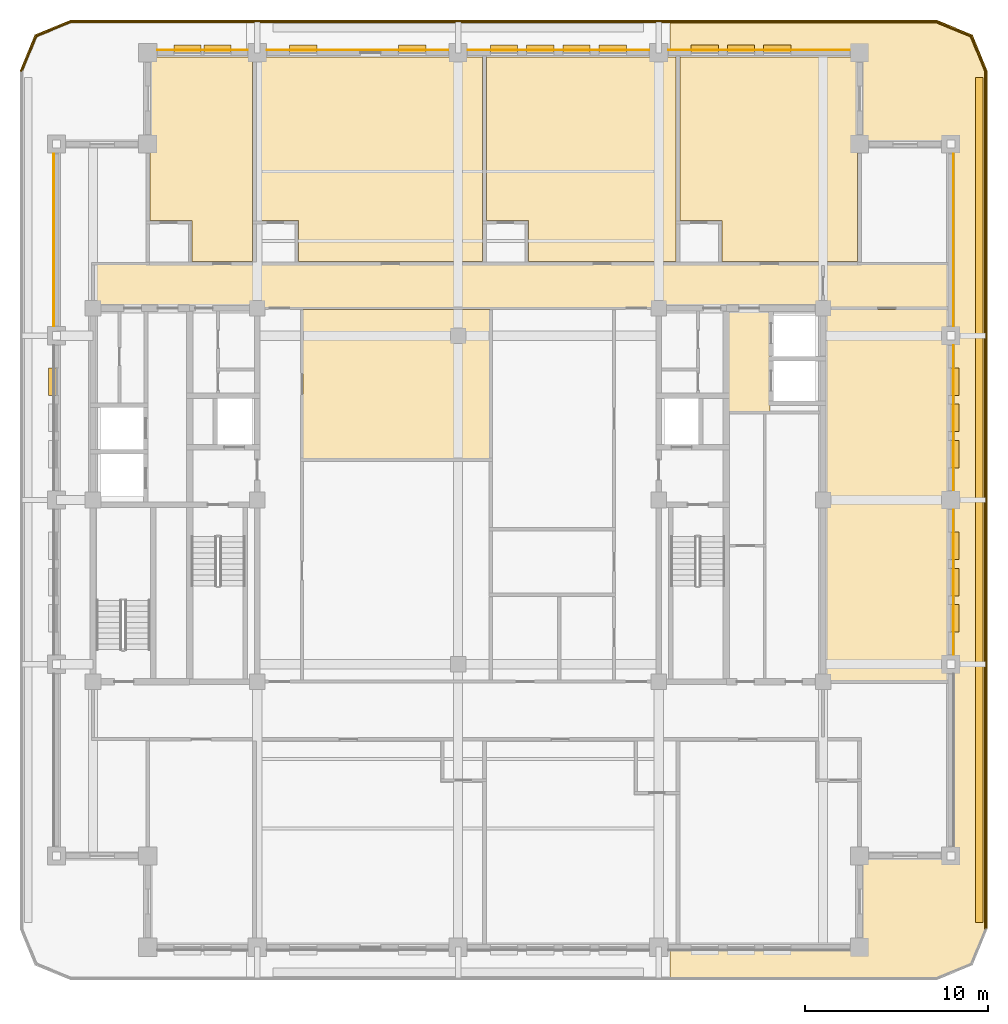
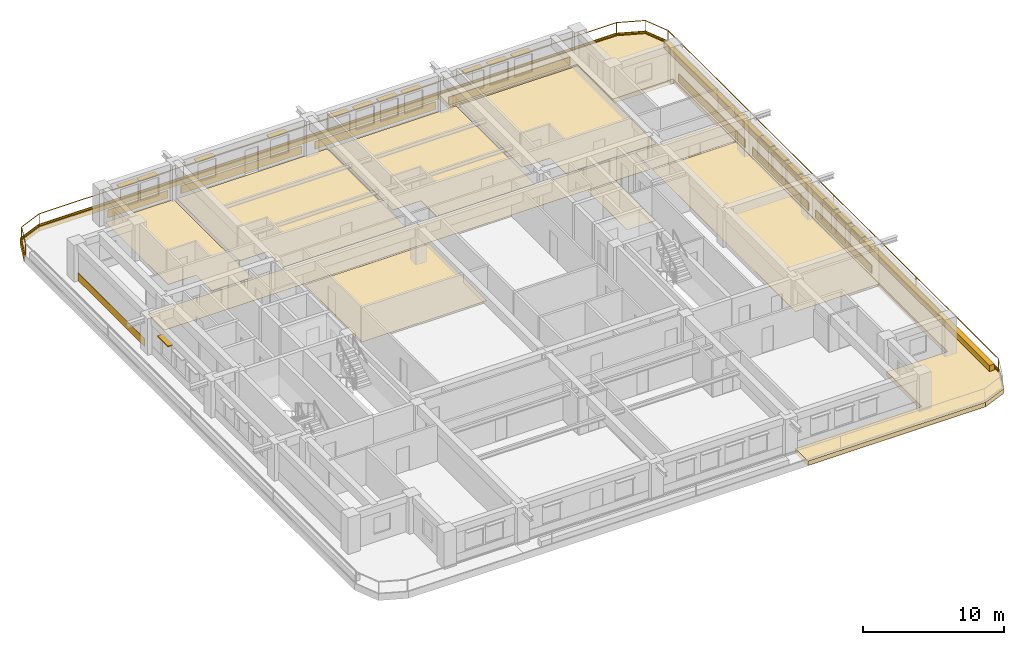
# One storey, part 14 of 14: 25 coverings, 18 shading devices, 2 railings.
"""IFC4 building model written with IfcOpenShell, lengths in metres."""

from ifc_helpers import new_model, si_unit, direction, frame, frame_2d, origin, origin_2d, place, context, subcontext, project, spatial, polyline, rectangle, outline, extrude, material, layer, layer_set, type_object, element, save


model = new_model("IFC4")

# Units and contexts
model_context = context("Model", 3, precision=1e-05, world=origin(), true_north=direction((0.0, 1.0)))
body_context = subcontext(model_context, "Body", "Model", "MODEL_VIEW")
ifc_project = project(units=[si_unit("LENGTHUNIT", "METRE"), si_unit("AREAUNIT", "SQUARE_METRE"), si_unit("VOLUMEUNIT", "CUBIC_METRE"), si_unit("PLANEANGLEUNIT", "RADIAN"), si_unit("MASSUNIT", "GRAM", prefix="KILO")], contexts=[model_context])

# Site, building, storey
site_placement = place(None, origin())
site = spatial("IfcSite", under=ifc_project, at=site_placement, CompositionType="ELEMENT")
building_placement = place(site_placement, origin())
building = spatial("IfcBuilding", under=site, at=building_placement, Name="Zulmaris Gate Convention Tower", CompositionType="ELEMENT")
storey_placement = place(building_placement, frame((0.0, 0.0, 162.659912109375)))
storey = spatial("IfcBuildingStorey", under=building, at=storey_placement, Name="L41", CompositionType="ELEMENT", Elevation=162.659912109375)

# Coverings
ifc_material_1 = material(Name="Precast concrete C40/50", Category="concrete")
ifc_layer_1 = layer(ifc_material_1, 0.0400390625, Name="Precast concrete C40/50")
ifc_layer_set_1 = layer_set([ifc_layer_1], Name="Precast concrete C40/50")
covering_type_1 = type_object("IfcCoveringType", Name="CLAD-SPANDREL-PRECAST", PredefinedType="CLADDING", material=ifc_layer_set_1)
covering_1_placement = place(storey_placement, frame((-11.530029296875, 24.64990234375, 0.0), z_axis=(0.0, 0.0, 1.0), x_axis=(-1.0, 0.0, 0.0)))
element("IfcCovering", 1, at=covering_1_placement, inside=storey, type_object=covering_type_1, Name="CLD-L41-N-0_0", PredefinedType="CLADDING", context=body_context, shape_type="SweptSolid", body=[
    extrude(rectangle(XDim=4.93994140625, YDim=0.0400390625, at=frame_2d((2.469970703125, 0.0))), origin(), (0.0, 0.0, 1.0), 0.679931640625),
])
for number, where, z_axis, x_axis, name in (
    (2, (-0.530029296875, 24.64990234375, 0.0), (0.0, 0.0, 1.0), (-1.0, 0.0, 0.0), "CLD-L41-N-1_0"),
    (3, (10.469970703125, 24.64990234375, 0.0), (0.0, 0.0, 1.0), (-1.0, 0.0, 0.0), "CLD-L41-N-2_0"),
    (4, (21.469970703125, 24.64990234375, 0.0), (0.0, 0.0, 1.0), (-1.0, 0.0, 0.0), "CLD-L41-N-3_0"),
):
    element("IfcCovering", number, at=place(storey_placement, frame(where, z_axis=z_axis, x_axis=x_axis)), inside=storey, type_object=covering_type_1, Name=name, PredefinedType="CLADDING", context=body_context, shape_type="SweptSolid", body=[
        extrude(rectangle(XDim=9.93994140625, YDim=0.0400390625, at=frame_2d((4.969970703125, 0.0))), origin(), (0.0, 0.0, 1.0), 0.679931640625),
    ])
for number, where, z_axis, x_axis, name in (
    (5, (27.14990234375, -8.469970703125, 0.0), (0.0, 0.0, 1.0), (0.0, 1.0, 0.0), "CLD-L41-E-1_0"),
    (6, (27.14990234375, 0.530029296875, 0.0), (0.0, 0.0, 1.0), (0.0, 1.0, 0.0), "CLD-L41-E-2_0"),
):
    element("IfcCovering", number, at=place(storey_placement, frame(where, z_axis=z_axis, x_axis=x_axis)), inside=storey, type_object=covering_type_1, Name=name, PredefinedType="CLADDING", context=body_context, shape_type="SweptSolid", body=[
        extrude(rectangle(XDim=7.93994140625, YDim=0.0400390625, at=frame_2d((3.969970703125, 0.0))), origin(), (0.0, 0.0, 1.0), 0.679931640625),
    ])
for number, where, z_axis, x_axis, name in (
    (7, (27.14990234375, 9.530029296875, 0.0), (0.0, 0.0, 1.0), (0.0, 1.0, 0.0), "CLD-L41-E-3_0"),
    (8, (-22.14990234375, 18.969970703125, 0.0), (0.0, 0.0, 1.0), (0.0, -1.0, 0.0), "CLD-L41-W-3_0"),
):
    element("IfcCovering", number, at=place(storey_placement, frame(where, z_axis=z_axis, x_axis=x_axis)), inside=storey, type_object=covering_type_1, Name=name, PredefinedType="CLADDING", context=body_context, shape_type="SweptSolid", body=[
        extrude(rectangle(XDim=9.43994140625, YDim=0.0400390625, at=frame_2d((4.719970703125, 0.0))), origin(), (0.0, 0.0, 1.0), 0.679931640625),
    ])
ifc_material_2 = material(Name="White Glazed Architectural Precast Concrete C40/50", Category="concrete")
ifc_layer_2 = layer(ifc_material_2, 0.239990234375, Name="White Glazed Architectural Precast Concrete C40/50")
ifc_layer_set_2 = layer_set([ifc_layer_2], Name="White Glazed Architectural Precast Concrete C40/50")
covering_type_2 = type_object("IfcCoveringType", Name="CLAD-TRAY-DECK", PredefinedType="CLADDING", material=ifc_layer_set_2)
covering_2_placement = place(storey_placement, frame((0.0, 0.0, -0.425048828125)))
element("IfcCovering", 9, at=covering_2_placement, inside=storey, type_object=covering_type_2, Name="L41 East Rounded-Fascia Planter Tray Deck", PredefinedType="CLADDING", context=body_context, shape_type="SweptSolid", body=[
    extrude(outline(polyline([(26.199951171875, 26.300048828125), (28.179931640625, 25.47998046875), (29.0, 23.5), (29.0, -23.5), (28.179931640625, -25.47998046875), (26.199951171875, -26.300048828125), (11.60205078125, -26.300048828125), (11.60205078125, -24.5), (22.0, -24.5), (22.0, -19.5), (27.0, -19.5), (27.0, 19.5), (22.0, 19.5), (22.0, 24.5), (11.60205078125, 24.5), (11.60205078125, 26.300048828125), (26.199951171875, 26.300048828125)])), origin(), (0.0, 0.0, 1.0), 0.385009765625),
])
ifc_layer_3 = layer(ifc_material_2, 0.080078125, Name="White Glazed Architectural Precast Concrete C40/50")
ifc_layer_set_3 = layer_set([ifc_layer_3], Name="White Glazed Architectural Precast Concrete C40/50")
covering_type_3 = type_object("IfcCoveringType", Name="CLAD-TRAY-FASCIA", PredefinedType="CLADDING", material=ifc_layer_set_3)
covering_3_placement = place(storey_placement, frame((28.9599609375, -23.5, -0.465087890625), z_axis=(0.0, 0.0, 1.0), x_axis=(0.0, 1.0, 0.0)))
element("IfcCovering", 10, at=covering_3_placement, inside=storey, type_object=covering_type_3, Name="FSC-L41-TR-05", PredefinedType="CLADDING", context=body_context, shape_type="SweptSolid", body=[
    extrude(rectangle(XDim=47.0, YDim=0.080078125, at=frame_2d((23.5, 0.0))), origin(), (0.0, 0.0, 1.0), 0.5849609375),
])
covering_4_placement = place(storey_placement, frame((28.962890625, 23.484619140625, -0.465087890625), z_axis=(0.0, 0.0, 1.0), x_axis=(-0.382656984709, 0.923890487046, 0.0)))
element("IfcCovering", 11, at=covering_4_placement, inside=storey, type_object=covering_type_3, Name="FSC-L41-TR-06", PredefinedType="CLADDING", context=body_context, shape_type="SweptSolid", body=[
    extrude(rectangle(XDim=2.14306640625, YDim=0.080078125, at=frame_2d((1.071533203125, 0.0))), origin(), (0.0, 0.0, 1.0), 0.5849609375),
])
covering_5_placement = place(storey_placement, frame((28.16455078125, 25.44287109375, -0.465087890625), z_axis=(0.0, 0.0, 1.0), x_axis=(-0.923873803533, 0.382697263049, 0.0)))
element("IfcCovering", 12, at=covering_5_placement, inside=storey, type_object=covering_type_3, Name="FSC-L41-TR-07", PredefinedType="CLADDING", context=body_context, shape_type="SweptSolid", body=[
    extrude(rectangle(XDim=2.142822265625, YDim=0.080078125, at=frame_2d((1.0712890625, 0.0))), origin(), (0.0, 0.0, 1.0), 0.5849609375),
])
covering_6_placement = place(storey_placement, frame((26.199951171875, 26.260009765625, -0.465087890625), z_axis=(0.0, 0.0, 1.0), x_axis=(-1.0, 0.0, 0.0)))
element("IfcCovering", 13, at=covering_6_placement, inside=storey, type_object=covering_type_3, Name="FSC-L41-TR-08", PredefinedType="CLADDING", context=body_context, shape_type="SweptSolid", body=[
    extrude(rectangle(XDim=47.39990234375, YDim=0.080078125, at=frame_2d((23.699951171875, 0.0))), origin(), (0.0, 0.0, 1.0), 0.5849609375),
])
covering_7_placement = place(storey_placement, frame((-21.184814453125, 26.262939453125, -0.465087890625), z_axis=(0.0, 0.0, 1.0), x_axis=(-0.923873803533, -0.382697263049, 0.0)))
element("IfcCovering", 14, at=covering_7_placement, inside=storey, type_object=covering_type_3, Name="FSC-L41-TR-09", PredefinedType="CLADDING", context=body_context, shape_type="SweptSolid", body=[
    extrude(rectangle(XDim=2.142822265625, YDim=0.080078125, at=frame_2d((1.0712890625, 0.0))), origin(), (0.0, 0.0, 1.0), 0.5849609375),
])
covering_8_placement = place(storey_placement, frame((-23.142822265625, 25.464599609375, -0.465087890625), z_axis=(0.0, 0.0, 1.0), x_axis=(-0.382656984709, -0.923890487046, 0.0)))
element("IfcCovering", 15, at=covering_8_placement, inside=storey, type_object=covering_type_3, Name="FSC-L41-TR-10", PredefinedType="CLADDING", context=body_context, shape_type="SweptSolid", body=[
    extrude(rectangle(XDim=2.14306640625, YDim=0.080078125, at=frame_2d((1.071533203125, 0.0))), origin(), (0.0, 0.0, 1.0), 0.5849609375),
])
ifc_material_3 = material(Name="Woven Acoustic Wool Carpet Tile")
ifc_layer_4 = layer(ifc_material_3, 0.02001953125, Name="Woven Acoustic Wool Carpet Tile")
ifc_layer_set_4 = layer_set([ifc_layer_4], Name="Woven Acoustic Wool Carpet Tile")
covering_type_4 = type_object("IfcCoveringType", Name="FLR-CARPET-12", PredefinedType="FLOORING", material=ifc_layer_set_4)
covering_9_placement = place(storey_placement, origin())
element("IfcCovering", 16, at=covering_9_placement, inside=storey, type_object=covering_type_4, Name="FLR-L41-R26", PredefinedType="FLOORING", context=body_context, shape_type="SweptSolid", body=[
    extrude(outline(polyline([(14.760009765625, 4.860107421875), (17.090087890625, 4.860107421875), (17.090087890625, 10.43994140625), (14.760009765625, 10.43994140625), (14.760009765625, 4.860107421875)])), origin(), (0.0, 0.0, 1.0), 0.02001953125),
])
covering_10_placement = place(storey_placement, origin())
element("IfcCovering", 17, at=covering_10_placement, inside=storey, type_object=covering_type_4, Name="FLR-L41-R32", PredefinedType="FLOORING", context=body_context, shape_type="SweptSolid", body=[
    extrude(outline(polyline([(-19.93994140625, 10.56005859375), (19.93994140625, 10.56005859375), (19.93994140625, 12.889892578125), (-19.93994140625, 12.889892578125), (-19.93994140625, 10.56005859375)])), origin(), (0.0, 0.0, 1.0), 0.02001953125),
])
covering_11_placement = place(storey_placement, origin())
element("IfcCovering", 18, at=covering_11_placement, inside=storey, type_object=covering_type_4, Name="FLR-L41-R57", PredefinedType="FLOORING", context=body_context, shape_type="SweptSolid", body=[
    extrude(outline(polyline([(20.06005859375, 10.56005859375), (26.93994140625, 10.56005859375), (26.93994140625, 12.889892578125), (20.06005859375, 12.889892578125), (20.06005859375, 10.56005859375)])), origin(), (0.0, 0.0, 1.0), 0.02001953125),
])
ifc_material_4 = material(Name="Engineered Teak Parquet Flooring")
ifc_layer_5 = layer(ifc_material_4, 0.02001953125, Name="Engineered Teak Parquet Flooring")
ifc_layer_set_5 = layer_set([ifc_layer_5], Name="Engineered Teak Parquet Flooring")
covering_type_5 = type_object("IfcCoveringType", Name="FLR-TIMBER-18", PredefinedType="FLOORING", material=ifc_layer_set_5)
covering_12_placement = place(storey_placement, origin())
element("IfcCovering", 19, at=covering_12_placement, inside=storey, type_object=covering_type_5, Name="FLR-L41-R37", PredefinedType="FLOORING", context=body_context, shape_type="SweptSolid", body=[
    extrude(outline(polyline([(-14.580078125, 13.070068359375), (-11.27001953125, 13.070068359375), (-11.27001953125, 24.260009765625), (-16.8798828125, 24.260009765625), (-16.8798828125, 15.320068359375), (-14.580078125, 15.320068359375), (-14.580078125, 13.070068359375)])), origin(), (0.0, 0.0, 1.0), 0.02001953125),
])
covering_13_placement = place(storey_placement, origin())
element("IfcCovering", 20, at=covering_13_placement, inside=storey, type_object=covering_type_5, Name="FLR-L41-R39", PredefinedType="FLOORING", context=body_context, shape_type="SweptSolid", body=[
    extrude(outline(polyline([(-8.72998046875, 13.070068359375), (1.330078125, 13.070068359375), (1.330078125, 24.260009765625), (-11.030029296875, 24.260009765625), (-11.030029296875, 15.320068359375), (-8.72998046875, 15.320068359375), (-8.72998046875, 13.070068359375)])), origin(), (0.0, 0.0, 1.0), 0.02001953125),
])
covering_14_placement = place(storey_placement, origin())
element("IfcCovering", 21, at=covering_14_placement, inside=storey, type_object=covering_type_5, Name="FLR-L41-R41", PredefinedType="FLOORING", context=body_context, shape_type="SweptSolid", body=[
    extrude(outline(polyline([(3.8701171875, 13.070068359375), (11.929931640625, 13.070068359375), (11.929931640625, 24.260009765625), (1.570068359375, 24.260009765625), (1.570068359375, 15.320068359375), (3.8701171875, 15.320068359375), (3.8701171875, 13.070068359375)])), origin(), (0.0, 0.0, 1.0), 0.02001953125),
])
covering_15_placement = place(storey_placement, origin())
element("IfcCovering", 22, at=covering_15_placement, inside=storey, type_object=covering_type_5, Name="FLR-L41-R43", PredefinedType="FLOORING", context=body_context, shape_type="SweptSolid", body=[
    extrude(outline(polyline([(14.469970703125, 13.070068359375), (21.8798828125, 13.070068359375), (21.8798828125, 24.260009765625), (12.169921875, 24.260009765625), (12.169921875, 15.320068359375), (14.469970703125, 15.320068359375), (14.469970703125, 13.070068359375)])), origin(), (0.0, 0.0, 1.0), 0.02001953125),
])
covering_16_placement = place(storey_placement, origin())
element("IfcCovering", 23, at=covering_16_placement, inside=storey, type_object=covering_type_5, Name="FLR-L41-R51", PredefinedType="FLOORING", context=body_context, shape_type="SweptSolid", body=[
    extrude(outline(polyline([(-8.489990234375, 2.260009765625), (1.739990234375, 2.260009765625), (1.739990234375, 10.43994140625), (-8.489990234375, 10.43994140625), (-8.489990234375, 2.260009765625)])), origin(), (0.0, 0.0, 1.0), 0.02001953125),
])
covering_17_placement = place(storey_placement, origin())
element("IfcCovering", 24, at=covering_17_placement, inside=storey, type_object=covering_type_5, Name="FLR-L41-R58", PredefinedType="FLOORING", context=body_context, shape_type="SweptSolid", body=[
    extrude(outline(polyline([(20.06005859375, -9.889892578125), (26.93994140625, -9.889892578125), (26.93994140625, 10.43994140625), (20.06005859375, 10.43994140625), (20.06005859375, -9.889892578125)])), origin(), (0.0, 0.0, 1.0), 0.02001953125),
])
ifc_material_5 = material(Name="Botanical Green Glazed Precast Concrete C40/50", Category="concrete")
ifc_layer_6 = layer(ifc_material_5, 0.419921875, Name="Botanical Green Glazed Precast Concrete C40/50")
ifc_layer_set_6 = layer_set([ifc_layer_6], Name="Botanical Green Glazed Precast Concrete C40/50")
covering_type_6 = type_object("IfcCoveringType", Name="PLANTER-BOX-200", PredefinedType="CLADDING", material=ifc_layer_set_6)
covering_18_placement = place(storey_placement, frame((0.0, 0.0, -0.0400390625)))
element("IfcCovering", 25, at=covering_18_placement, inside=storey, type_object=covering_type_6, Name="L41 E Full-Length Balcony Tree Planter Trough", PredefinedType="CLADDING", context=body_context, shape_type="SweptSolid", body=[
    extrude(outline(polyline([(28.340087890625, -23.14990234375), (28.760009765625, -23.14990234375), (28.760009765625, 23.14990234375), (28.340087890625, 23.14990234375), (28.340087890625, -23.14990234375)])), origin(), (0.0, 0.0, 1.0), 0.52001953125),
])

# Railings
ifc_material_6 = material(Name="Laminated Glass and Stainless Steel", Category="steel")
railing_type = type_object("IfcRailingType", Name="RL-BALC-1150", PredefinedType="BALUSTRADE", material=ifc_material_6)
railing_1_placement = place(storey_placement, frame((28.8798828125, -23.5, -0.0400390625)))
element("IfcRailing", 26, at=railing_1_placement, inside=storey, type_object=railing_type, Name="RL-L41-BALC-E", PredefinedType="BALUSTRADE", context=body_context, shape_type="SweptSolid", body=[
    extrude(rectangle(XDim=0.048095703125, YDim=0.048095703125, at=origin_2d()), frame((0.0, 0.0, 1.1259765625), z_axis=(0.0, 1.0, 0.0), x_axis=(-1.0, 0.0, 0.0)), (0.0, 0.0, 1.0), 47.0),
    extrude(rectangle(XDim=0.048095703125, YDim=0.048095703125, at=origin_2d()), frame((0.0, 0.0, 0.02392578125), z_axis=(0.0, 1.0, 0.0), x_axis=(-1.0, 0.0, 0.0)), (0.0, 0.0, 1.0), 47.0),
    extrude(rectangle(XDim=0.0419921875, YDim=0.0419921875, at=origin_2d()), origin(), (0.0, 0.0, 1.0), 1.101806640625),
    extrude(rectangle(XDim=0.0419921875, YDim=0.0419921875, at=origin_2d()), frame((0.0, 11.75, 0.0)), (0.0, 0.0, 1.0), 1.101806640625),
    extrude(rectangle(XDim=0.0419921875, YDim=0.0419921875, at=origin_2d()), frame((0.0, 23.5, 0.0)), (0.0, 0.0, 1.0), 1.101806640625),
    extrude(rectangle(XDim=0.0419921875, YDim=0.0419921875, at=origin_2d()), frame((0.0, 35.25, 0.0)), (0.0, 0.0, 1.0), 1.101806640625),
    extrude(rectangle(XDim=0.0419921875, YDim=0.0419921875, at=origin_2d()), frame((0.0, 47.0, 0.0)), (0.0, 0.0, 1.0), 1.101806640625),
])
railing_2_placement = place(storey_placement, frame((28.8798828125, 23.5, -0.0400390625)))
element("IfcRailing", 27, at=railing_2_placement, inside=storey, type_object=railing_type, Name="RL-L41-BALC-N", PredefinedType="BALUSTRADE", context=body_context, shape_type="SweptSolid", body=[
    extrude(rectangle(XDim=0.048095703125, YDim=0.048095703125, at=origin_2d()), frame((0.0, 0.0, 1.1259765625), z_axis=(-0.382670664694, 0.92388482095, 0.0), x_axis=(-0.92388482095, -0.382670664694, 0.0)), (0.0, 0.0, 1.0), 2.051025390625),
    extrude(rectangle(XDim=0.048095703125, YDim=0.048095703125, at=origin_2d()), frame((0.0, 0.0, 0.02392578125), z_axis=(-0.382670664694, 0.92388482095, 0.0), x_axis=(-0.92388482095, -0.382670664694, 0.0)), (0.0, 0.0, 1.0), 2.051025390625),
    extrude(rectangle(XDim=0.048095703125, YDim=0.048095703125, at=origin_2d()), frame((-0.784912109375, 1.89501953125, 1.1259765625), z_axis=(-0.92388482095, 0.382670664694, 0.0), x_axis=(-0.382670664694, -0.92388482095, 0.0)), (0.0, 0.0, 1.0), 2.051025390625),
    extrude(rectangle(XDim=0.048095703125, YDim=0.048095703125, at=origin_2d()), frame((-0.784912109375, 1.89501953125, 0.02392578125), z_axis=(-0.92388482095, 0.382670664694, 0.0), x_axis=(-0.382670664694, -0.92388482095, 0.0)), (0.0, 0.0, 1.0), 2.051025390625),
    extrude(rectangle(XDim=0.048095703125, YDim=0.048095703125, at=origin_2d()), frame((-2.679931640625, 2.679931640625, 1.1259765625), z_axis=(-1.0, 0.0, 0.0), x_axis=(0.0, -1.0, 0.0)), (0.0, 0.0, 1.0), 47.39990234375),
    extrude(rectangle(XDim=0.048095703125, YDim=0.048095703125, at=origin_2d()), frame((-2.679931640625, 2.679931640625, 0.02392578125), z_axis=(-1.0, 0.0, 0.0), x_axis=(0.0, -1.0, 0.0)), (0.0, 0.0, 1.0), 47.39990234375),
    extrude(rectangle(XDim=0.048095703125, YDim=0.048095703125, at=origin_2d()), frame((-50.079833984375, 2.679931640625, 1.1259765625), z_axis=(-0.92388482095, -0.382670664694, 0.0), x_axis=(0.382670664694, -0.92388482095, 0.0)), (0.0, 0.0, 1.0), 2.051025390625),
    extrude(rectangle(XDim=0.048095703125, YDim=0.048095703125, at=origin_2d()), frame((-50.079833984375, 2.679931640625, 0.02392578125), z_axis=(-0.92388482095, -0.382670664694, 0.0), x_axis=(0.382670664694, -0.92388482095, 0.0)), (0.0, 0.0, 1.0), 2.051025390625),
    extrude(rectangle(XDim=0.048095703125, YDim=0.048095703125, at=origin_2d()), frame((-51.974853515625, 1.89501953125, 1.1259765625), z_axis=(-0.382670664694, -0.92388482095, 0.0), x_axis=(0.92388482095, -0.382670664694, 0.0)), (0.0, 0.0, 1.0), 2.051025390625),
    extrude(rectangle(XDim=0.048095703125, YDim=0.048095703125, at=origin_2d()), frame((-51.974853515625, 1.89501953125, 0.02392578125), z_axis=(-0.382670664694, -0.92388482095, 0.0), x_axis=(0.92388482095, -0.382670664694, 0.0)), (0.0, 0.0, 1.0), 2.051025390625),
    extrude(rectangle(XDim=0.0419921875, YDim=0.0419921875, at=origin_2d()), origin(), (0.0, 0.0, 1.0), 1.101806640625),
    extrude(rectangle(XDim=0.0419921875, YDim=0.0419921875, at=origin_2d()), frame((-0.784912109375, 1.89501953125, 0.0)), (0.0, 0.0, 1.0), 1.101806640625),
    extrude(rectangle(XDim=0.0419921875, YDim=0.0419921875, at=origin_2d()), frame((-2.679931640625, 2.679931640625, 0.0)), (0.0, 0.0, 1.0), 1.101806640625),
    extrude(rectangle(XDim=0.0419921875, YDim=0.0419921875, at=origin_2d()), frame((-14.52978515625, 2.679931640625, 0.0)), (0.0, 0.0, 1.0), 1.101806640625),
    extrude(rectangle(XDim=0.0419921875, YDim=0.0419921875, at=origin_2d()), frame((-26.3798828125, 2.679931640625, 0.0)), (0.0, 0.0, 1.0), 1.101806640625),
    extrude(rectangle(XDim=0.0419921875, YDim=0.0419921875, at=origin_2d()), frame((-38.22998046875, 2.679931640625, 0.0)), (0.0, 0.0, 1.0), 1.101806640625),
    extrude(rectangle(XDim=0.0419921875, YDim=0.0419921875, at=origin_2d()), frame((-50.079833984375, 2.679931640625, 0.0)), (0.0, 0.0, 1.0), 1.101806640625),
    extrude(rectangle(XDim=0.0419921875, YDim=0.0419921875, at=origin_2d()), frame((-51.974853515625, 1.89501953125, 0.0)), (0.0, 0.0, 1.0), 1.101806640625),
    extrude(rectangle(XDim=0.0419921875, YDim=0.0419921875, at=origin_2d()), frame((-52.759765625, 0.0, 0.0)), (0.0, 0.0, 1.0), 1.101806640625),
])

# Shading devices
ifc_material_7 = material(Name="Glazed Ceramic Terracotta", Category="masonry")
ifc_layer_7 = layer(ifc_material_7, 0.070068359375, Name="Glazed Ceramic Terracotta")
ifc_layer_set_7 = layer_set([ifc_layer_7], Name="Glazed Ceramic Terracotta")
shading_device_type = type_object("IfcShadingDeviceType", Name="SHD-SUNSHADE-TC", PredefinedType="AWNING", material=ifc_layer_set_7)
for number, where, z_axis, x_axis, name in (
    (28, (-12.427001953125, 24.719970703125, 2.35009765625), (0.0, 0.0, 1.0), (-1.0, 0.0, 0.0), "SHD-EW-L41-N-0_0-1"),
    (29, (-14.072998046875, 24.719970703125, 2.35009765625), (0.0, 0.0, 1.0), (-1.0, 0.0, 0.0), "SHD-EW-L41-N-0_0-2"),
    (30, (-1.76806640625, 24.719970703125, 2.35009765625), (0.0, 0.0, 1.0), (-1.0, 0.0, 0.0), "SHD-EW-L41-N-1_0-1"),
    (31, (-7.73193359375, 24.719970703125, 2.35009765625), (0.0, 0.0, 1.0), (-1.0, 0.0, 0.0), "SHD-EW-L41-N-1_0-4"),
    (32, (9.23193359375, 24.719970703125, 2.35009765625), (0.0, 0.0, 1.0), (-1.0, 0.0, 0.0), "SHD-EW-L41-N-2_0-1"),
    (33, (7.243896484375, 24.719970703125, 2.35009765625), (0.0, 0.0, 1.0), (-1.0, 0.0, 0.0), "SHD-EW-L41-N-2_0-2"),
    (34, (5.256103515625, 24.719970703125, 2.35009765625), (0.0, 0.0, 1.0), (-1.0, 0.0, 0.0), "SHD-EW-L41-N-2_0-3"),
    (35, (3.26806640625, 24.719970703125, 2.35009765625), (0.0, 0.0, 1.0), (-1.0, 0.0, 0.0), "SHD-EW-L41-N-2_0-4"),
    (36, (18.243896484375, 24.719970703125, 2.35009765625), (0.0, 0.0, 1.0), (-1.0, 0.0, 0.0), "SHD-EW-L41-N-3_0-2"),
    (37, (16.256103515625, 24.719970703125, 2.35009765625), (0.0, 0.0, 1.0), (-1.0, 0.0, 0.0), "SHD-EW-L41-N-3_0-3"),
    (38, (14.26806640625, 24.719970703125, 2.35009765625), (0.0, 0.0, 1.0), (-1.0, 0.0, 0.0), "SHD-EW-L41-N-3_0-4"),
    (39, (27.219970703125, -7.235107421875, 2.35009765625), (0.0, 0.0, 1.0), (0.0, 1.0, 0.0), "SHD-EW-L41-E-1_0-1"),
    (40, (27.219970703125, -5.25, 2.35009765625), (0.0, 0.0, 1.0), (0.0, 1.0, 0.0), "SHD-EW-L41-E-1_0-2"),
    (41, (27.219970703125, -3.264892578125, 2.35009765625), (0.0, 0.0, 1.0), (0.0, 1.0, 0.0), "SHD-EW-L41-E-1_0-3"),
    (42, (27.219970703125, 1.764892578125, 2.35009765625), (0.0, 0.0, 1.0), (0.0, 1.0, 0.0), "SHD-EW-L41-E-2_0-1"),
    (43, (27.219970703125, 3.75, 2.35009765625), (0.0, 0.0, 1.0), (0.0, 1.0, 0.0), "SHD-EW-L41-E-2_0-2"),
    (44, (27.219970703125, 5.735107421875, 2.35009765625), (0.0, 0.0, 1.0), (0.0, 1.0, 0.0), "SHD-EW-L41-E-2_0-3"),
    (45, (-22.219970703125, 7.235107421875, 2.35009765625), (0.0, 0.0, 1.0), (0.0, -1.0, 0.0), "SHD-EW-L41-W-2_0-1"),
):
    element("IfcShadingDevice", number, at=place(storey_placement, frame(where, z_axis=z_axis, x_axis=x_axis)), inside=storey, type_object=shading_device_type, Name=name, PredefinedType="AWNING", context=body_context, shape_type="SweptSolid", body=[
        extrude(rectangle(XDim=1.5, YDim=0.43994140625, at=frame_2d((0.75, 0.0))), origin(), (0.0, 0.0, 1.0), 0.06982421875),
    ])

save(model, "model.ifc")
